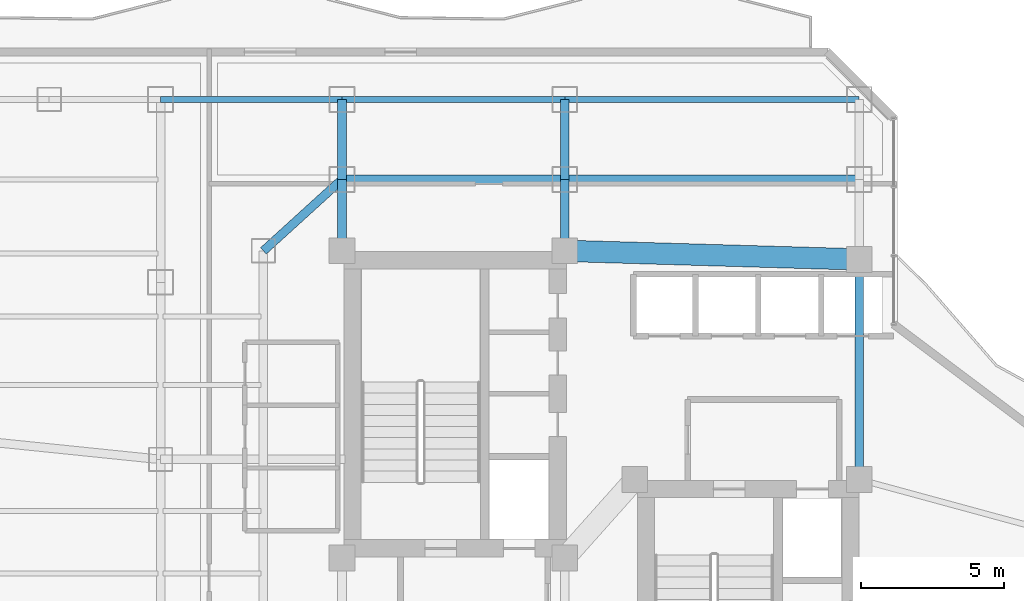
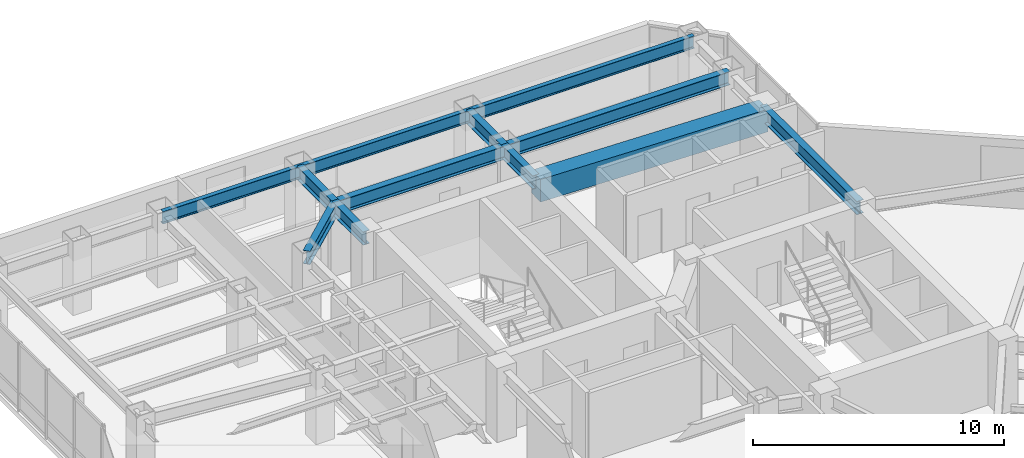
# One storey, part 18 of 29: 12 beams.
"""IFC4 building model written with IfcOpenShell, lengths in metres."""

from ifc_helpers import new_model, si_unit, direction, frame, origin, origin_2d, place, context, subcontext, project, spatial, rectangle, i_section, extrude, material, material_profile, profile_set, type_object, element, save


model = new_model("IFC4")

# Units and contexts
model_context = context("Model", 3, precision=1e-05, world=origin(), true_north=direction((0.0, 1.0)))
body_context = subcontext(model_context, "Body", "Model", "MODEL_VIEW")
ifc_project = project(units=[si_unit("LENGTHUNIT", "METRE"), si_unit("AREAUNIT", "SQUARE_METRE"), si_unit("VOLUMEUNIT", "CUBIC_METRE"), si_unit("PLANEANGLEUNIT", "RADIAN"), si_unit("MASSUNIT", "GRAM", prefix="KILO")], contexts=[model_context])

# Site, building, storey
site_placement = place(None, origin())
site = spatial("IfcSite", under=ifc_project, at=site_placement, CompositionType="ELEMENT")
building_placement = place(site_placement, origin())
building = spatial("IfcBuilding", under=site, at=building_placement, Name="Hatsunagi Terrace Concourse", CompositionType="ELEMENT")
storey_placement = place(building_placement, frame((0.0, 0.0, 104.85009765625)))
storey = spatial("IfcBuildingStorey", under=building, at=storey_placement, Name="L27", CompositionType="ELEMENT", Elevation=104.85009765625)

# Beams
ifc_material_1 = material(Name="Concrete Fc48", Category="concrete")
ifc_material_profile_1 = material_profile(ifc_material_1, rectangle(XDim=0.75, YDim=1.10009765625, at=origin_2d()), Name="RC-750x1100")
ifc_profile_set_1 = profile_set([ifc_material_profile_1], Name="Concrete Fc48")
beam_type_1 = type_object("IfcBeamType", Name="CoreCouplingBeam_RC_750x1100", PredefinedType="BEAM", material=ifc_profile_set_1)
beam_1_placement = place(storey_placement, frame((33.35009765625, 43.300048828125, 2.7998046875), z_axis=(0.999575947545, -0.029119153303, 0.0), x_axis=(0.029119153303, 0.999575947545, 0.0)))
element("IfcBeam", 1, at=beam_1_placement, inside=storey, type_object=beam_type_1, Name="Beam CB-02 CB-L27-2", PredefinedType="BEAM", context=body_context, shape_type="SweptSolid", body=[
    extrude(rectangle(XDim=0.75, YDim=1.10009765625, at=origin_2d()), origin(), (0.0, 0.0, 1.0), 10.30419921875),
])
ifc_material_2 = material(Name="Steel SN490B", Category="steel")
ifc_material_profile_2 = material_profile(ifc_material_2, i_section(OverallWidth=0.300048828125, OverallDepth=0.64990234375, WebThickness=0.012939453125, FlangeThickness=0.02197265625, FilletRadius=0.01806640625, at=origin_2d()), Name="H-650x300x13x22")
ifc_profile_set_2 = profile_set([ifc_material_profile_2], Name="Steel SN490B")
beam_type_2 = type_object("IfcBeamType", Name="OfficeLowGirder_H_650x300", PredefinedType="BEAM", material=ifc_profile_set_2)
beam_2_placement = place(storey_placement, frame((43.64990234375, 35.300048828125, 3.02490234375), z_axis=(0.0, 1.0, 0.0), x_axis=(-1.0, 0.0, 0.0)))
element("IfcBeam", 2, at=beam_2_placement, inside=storey, type_object=beam_type_2, Name="Beam G-05 BM-L27-CBK3", PredefinedType="BEAM", context=body_context, shape_type="SweptSolid", body=[
    extrude(i_section(OverallWidth=0.300048828125, OverallDepth=0.64990234375, WebThickness=0.012939453125, FlangeThickness=0.02197265625, FilletRadius=0.01806640625, at=origin_2d()), origin(), (0.0, 0.0, 1.0), 7.699951171875),
])
for number, where, z_axis, x_axis, name in (
    (3, (25.550048828125, 43.300048828125, 3.02490234375), (0.0, 1.0, 0.0), (-1.0, 0.0, 0.0), "Beam G-05 BM-L27-CN1"),
    (4, (33.35009765625, 43.300048828125, 3.02490234375), (0.0, 1.0, 0.0), (-1.0, 0.0, 0.0), "Beam G-05 BM-L27-CN2"),
):
    element("IfcBeam", number, at=place(storey_placement, frame(where, z_axis=z_axis, x_axis=x_axis)), inside=storey, type_object=beam_type_2, Name=name, PredefinedType="BEAM", context=body_context, shape_type="SweptSolid", body=[
        extrude(i_section(OverallWidth=0.300048828125, OverallDepth=0.64990234375, WebThickness=0.012939453125, FlangeThickness=0.02197265625, FilletRadius=0.01806640625, at=origin_2d()), origin(), (0.0, 0.0, 1.0), 2.5),
    ])
beam_3_placement = place(storey_placement, frame((25.550048828125, 45.800048828125, 3.02490234375), z_axis=(1.0, 0.0, 0.0), x_axis=(0.0, 1.0, 0.0)))
element("IfcBeam", 5, at=beam_3_placement, inside=storey, type_object=beam_type_2, Name="Beam G-05 BM-L27-CNEW1", PredefinedType="BEAM", context=body_context, shape_type="SweptSolid", body=[
    extrude(i_section(OverallWidth=0.300048828125, OverallDepth=0.64990234375, WebThickness=0.012939453125, FlangeThickness=0.02197265625, FilletRadius=0.01806640625, at=origin_2d()), origin(), (0.0, 0.0, 1.0), 7.800048828125),
])
beam_4_placement = place(storey_placement, frame((33.35009765625, 45.800048828125, 3.02490234375), z_axis=(1.0, 0.0, 0.0), x_axis=(0.0, 1.0, 0.0)))
element("IfcBeam", 6, at=beam_4_placement, inside=storey, type_object=beam_type_2, Name="Beam G-05 BM-L27-CNEW2", PredefinedType="BEAM", context=body_context, shape_type="SweptSolid", body=[
    extrude(i_section(OverallWidth=0.300048828125, OverallDepth=0.64990234375, WebThickness=0.012939453125, FlangeThickness=0.02197265625, FilletRadius=0.01806640625, at=origin_2d()), origin(), (0.0, 0.0, 1.0), 10.2998046875),
])
for number, where, z_axis, x_axis, name in (
    (7, (25.550048828125, 45.800048828125, 3.02490234375), (0.0, 1.0, 0.0), (-1.0, 0.0, 0.0), "Beam G-05 BM-L27-KN-WN4"),
    (8, (33.35009765625, 45.800048828125, 3.02490234375), (0.0, 1.0, 0.0), (-1.0, 0.0, 0.0), "Beam G-05 BM-L27-KN-WN5"),
):
    element("IfcBeam", number, at=place(storey_placement, frame(where, z_axis=z_axis, x_axis=x_axis)), inside=storey, type_object=beam_type_2, Name=name, PredefinedType="BEAM", context=body_context, shape_type="SweptSolid", body=[
        extrude(i_section(OverallWidth=0.300048828125, OverallDepth=0.64990234375, WebThickness=0.012939453125, FlangeThickness=0.02197265625, FilletRadius=0.01806640625, at=origin_2d()), origin(), (0.0, 0.0, 1.0), 2.800048828125),
    ])
beam_5_placement = place(storey_placement, frame((22.800048828125, 43.300048828125, 3.02490234375), z_axis=(0.739940073396, 0.672672793996, 0.0), x_axis=(-0.672672793996, 0.739940073396, 0.0)))
element("IfcBeam", 9, at=beam_5_placement, inside=storey, type_object=beam_type_2, Name="Beam G-05 BM-L27-CWEW-N", PredefinedType="BEAM", context=body_context, shape_type="SweptSolid", body=[
    extrude(i_section(OverallWidth=0.300048828125, OverallDepth=0.64990234375, WebThickness=0.012939453125, FlangeThickness=0.02197265625, FilletRadius=0.01806640625, at=origin_2d()), origin(), (0.0, 0.0, 1.0), 3.716552734375),
])
ifc_material_3 = material(Name="Steel SN490B", Category="steel")
ifc_material_profile_3 = material_profile(ifc_material_3, i_section(OverallWidth=0.199951171875, OverallDepth=0.60009765625, WebThickness=0.010986328125, FlangeThickness=0.01708984375, FilletRadius=0.01806640625, at=origin_2d()), Name="H-600x200x11x17")
ifc_profile_set_3 = profile_set([ifc_material_profile_3], Name="Steel SN490B")
beam_type_3 = type_object("IfcBeamType", Name="PerimeterSpandrel_H_600x200", PredefinedType="SPANDREL", material=ifc_profile_set_3)
beam_6_placement = place(storey_placement, frame((19.199951171875, 48.60009765625, 3.0498046875), z_axis=(1.0, 0.0, 0.0), x_axis=(0.0, 1.0, 0.0)))
element("IfcBeam", 10, at=beam_6_placement, inside=storey, type_object=beam_type_3, Name="Beam SP-01 BM-L27-WN-19", PredefinedType="SPANDREL", context=body_context, shape_type="SweptSolid", body=[
    extrude(i_section(OverallWidth=0.199951171875, OverallDepth=0.60009765625, WebThickness=0.010986328125, FlangeThickness=0.01708984375, FilletRadius=0.01806640625, at=origin_2d()), origin(), (0.0, 0.0, 1.0), 6.35009765625),
])
beam_7_placement = place(storey_placement, frame((25.550048828125, 48.60009765625, 3.0498046875), z_axis=(1.0, 0.0, 0.0), x_axis=(0.0, 1.0, 0.0)))
element("IfcBeam", 11, at=beam_7_placement, inside=storey, type_object=beam_type_3, Name="Beam SP-01 BM-L27-WN-25", PredefinedType="SPANDREL", context=body_context, shape_type="SweptSolid", body=[
    extrude(i_section(OverallWidth=0.199951171875, OverallDepth=0.60009765625, WebThickness=0.010986328125, FlangeThickness=0.01708984375, FilletRadius=0.01806640625, at=origin_2d()), origin(), (0.0, 0.0, 1.0), 7.800048828125),
])
beam_8_placement = place(storey_placement, frame((33.35009765625, 48.60009765625, 3.0498046875), z_axis=(1.0, 0.0, 0.0), x_axis=(0.0, 1.0, 0.0)))
element("IfcBeam", 12, at=beam_8_placement, inside=storey, type_object=beam_type_3, Name="Beam SP-01 BM-L27-WN-33", PredefinedType="SPANDREL", context=body_context, shape_type="SweptSolid", body=[
    extrude(i_section(OverallWidth=0.199951171875, OverallDepth=0.60009765625, WebThickness=0.010986328125, FlangeThickness=0.01708984375, FilletRadius=0.01806640625, at=origin_2d()), origin(), (0.0, 0.0, 1.0), 10.2998046875),
])

save(model, "model.ifc")
